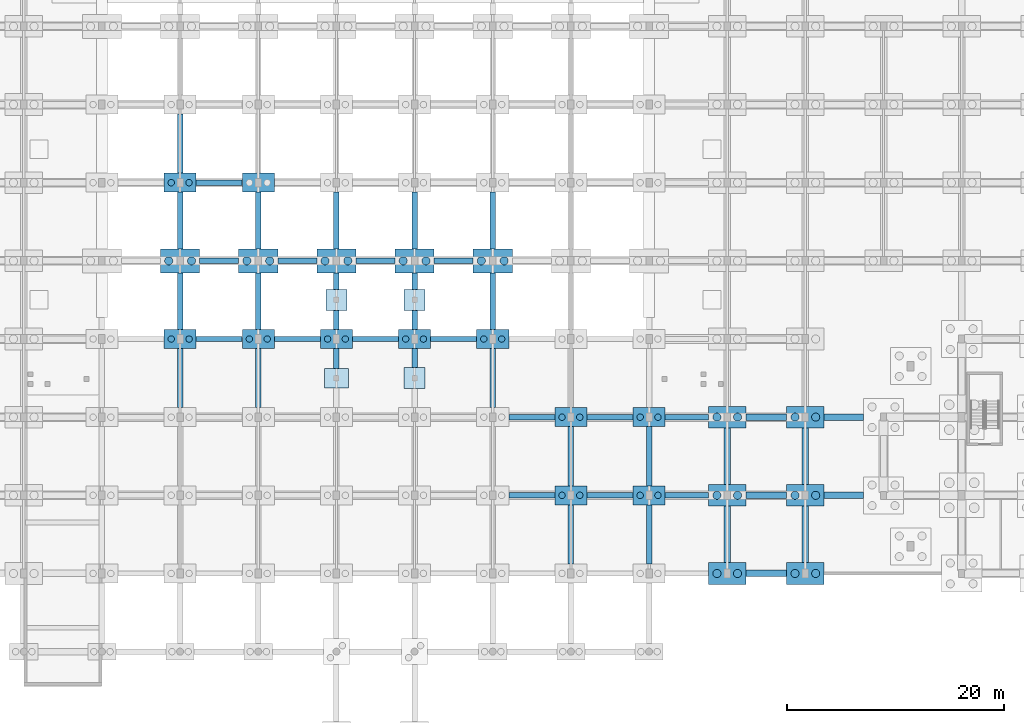
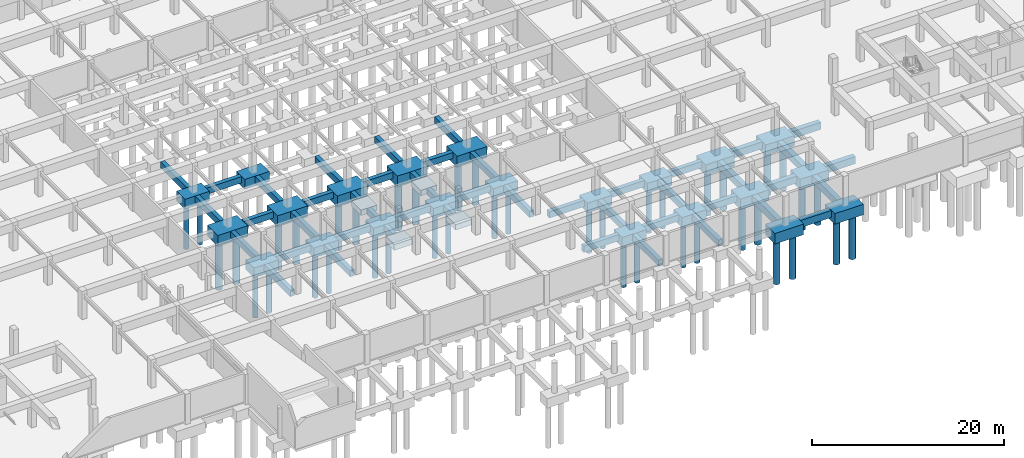
# One storey, part 5 of 36: 72 footings, 42 piles.
"""IFC4 building model written with IfcOpenShell, lengths in metres."""

from ifc_helpers import new_model, si_unit, direction, frame, origin, origin_2d, place, context, subcontext, project, spatial, rectangle, circle, extrude, material, material_profile, profile_set, type_object, element, save


model = new_model("IFC4")

# Units and contexts
model_context = context("Model", 3, precision=1e-05, world=origin(), true_north=direction((0.0, 1.0)))
body_context = subcontext(model_context, "Body", "Model", "MODEL_VIEW")
ifc_project = project(units=[si_unit("LENGTHUNIT", "METRE"), si_unit("AREAUNIT", "SQUARE_METRE"), si_unit("VOLUMEUNIT", "CUBIC_METRE"), si_unit("PLANEANGLEUNIT", "RADIAN"), si_unit("MASSUNIT", "GRAM", prefix="KILO")], contexts=[model_context])

# Site, building, storey
site_placement = place(None, origin())
site = spatial("IfcSite", under=ifc_project, at=site_placement, CompositionType="ELEMENT")
building_placement = place(site_placement, origin())
building = spatial("IfcBuilding", under=site, at=building_placement, Name="Ochrevale Crest", CompositionType="ELEMENT")
storey_placement = place(building_placement, frame((0.0, 0.0, -3.60009765625)))
storey = spatial("IfcBuildingStorey", under=building, at=storey_placement, Name="B1", CompositionType="ELEMENT", Elevation=-3.60009765625)

# Footings
ifc_material = material(Name="Concrete C40/50", Category="concrete")
footing_type_1 = type_object("IfcFootingType", Name="CAP-PC11", PredefinedType="PILE_CAP", material=ifc_material)
for number, where, z_axis, x_axis, name in (
    (1, (64.800048828125, 43.199951171875, -1.659912109375), (0.0, 0.0, 1.0), (1.0, 0.0, 0.0), "Pile cap PC11-119"),
    (2, (72.0, 43.199951171875, -1.659912109375), (0.0, 0.0, 1.0), (1.0, 0.0, 0.0), "Pile cap PC11-135"),
    (3, (79.199951171875, 43.199951171875, -1.659912109375), (0.0, 0.0, 1.0), (1.0, 0.0, 0.0), "Pile cap PC11-152"),
    (4, (86.39990234375, 43.199951171875, -1.659912109375), (0.0, 0.0, 1.0), (1.0, 0.0, 0.0), "Pile cap PC11-169"),
    (5, (93.60009765625, 43.199951171875, -1.659912109375), (0.0, 0.0, 1.0), (1.0, 0.0, 0.0), "Pile cap PC11-185"),
):
    element("IfcFooting", number, at=place(storey_placement, frame(where, z_axis=z_axis, x_axis=x_axis)), inside=storey, type_object=footing_type_1, Name=name, PredefinedType="PILE_CAP", context=body_context, shape_type="SweptSolid", body=[
        extrude(rectangle(XDim=3.60009765625, YDim=2.199951171875, at=origin_2d()), origin(), (0.0, 0.0, 1.0), 1.39990234375),
    ])
footing_type_2 = type_object("IfcFootingType", Name="CAP-PC12", PredefinedType="PILE_CAP", material=ifc_material)
for number, where, z_axis, x_axis, name in (
    (6, (115.199951171875, 14.39990234375, -1.60986328125), (0.0, 0.0, 1.0), (1.0, 0.0, 0.0), "Pile cap PC12-228"),
    (7, (115.199951171875, 21.60009765625, -1.60986328125), (0.0, 0.0, 1.0), (1.0, 0.0, 0.0), "Pile cap PC12-229"),
    (8, (115.199951171875, 28.800048828125, -1.60986328125), (0.0, 0.0, 1.0), (1.0, 0.0, 0.0), "Pile cap PC12-230"),
    (9, (122.39990234375, 14.39990234375, -1.60986328125), (0.0, 0.0, 1.0), (1.0, 0.0, 0.0), "Pile cap PC12-240"),
    (10, (122.39990234375, 21.60009765625, -1.60986328125), (0.0, 0.0, 1.0), (1.0, 0.0, 0.0), "Pile cap PC12-241"),
    (11, (122.39990234375, 28.800048828125, -1.60986328125), (0.0, 0.0, 1.0), (1.0, 0.0, 0.0), "Pile cap PC12-242"),
):
    element("IfcFooting", number, at=place(storey_placement, frame(where, z_axis=z_axis, x_axis=x_axis)), inside=storey, type_object=footing_type_2, Name=name, PredefinedType="PILE_CAP", context=body_context, shape_type="SweptSolid", body=[
        extrude(rectangle(XDim=3.449951171875, YDim=2.0, at=origin_2d()), origin(), (0.0, 0.0, 1.0), 1.35009765625),
    ])
footing_type_3 = type_object("IfcFootingType", Name="CAP-PC14", PredefinedType="PILE_CAP", material=ifc_material)
for number, where, z_axis, x_axis, name in (
    (12, (64.800048828125, 36.0, -1.510009765625), (0.0, 0.0, 1.0), (1.0, 0.0, 0.0), "Pile cap PC14-118"),
    (13, (64.800048828125, 50.39990234375, -1.510009765625), (0.0, 0.0, 1.0), (1.0, 0.0, 0.0), "Pile cap PC14-120"),
    (14, (72.0, 36.0, -1.510009765625), (0.0, 0.0, 1.0), (1.0, 0.0, 0.0), "Pile cap PC14-134"),
    (15, (72.0, 50.39990234375, -1.510009765625), (0.0, 0.0, 1.0), (1.0, 0.0, 0.0), "Pile cap PC14-136"),
    (16, (79.199951171875, 36.0, -1.510009765625), (0.0, 0.0, 1.0), (1.0, 0.0, 0.0), "Pile cap PC14-151"),
    (17, (86.39990234375, 36.0, -1.510009765625), (0.0, 0.0, 1.0), (1.0, 0.0, 0.0), "Pile cap PC14-168"),
    (18, (93.60009765625, 36.0, -1.510009765625), (0.0, 0.0, 1.0), (1.0, 0.0, 0.0), "Pile cap PC14-184"),
    (19, (100.800048828125, 21.60009765625, -1.510009765625), (0.0, 0.0, 1.0), (1.0, 0.0, 0.0), "Pile cap PC14-198"),
    (20, (100.800048828125, 28.800048828125, -1.510009765625), (0.0, 0.0, 1.0), (1.0, 0.0, 0.0), "Pile cap PC14-199"),
    (21, (108.0, 21.60009765625, -1.510009765625), (0.0, 0.0, 1.0), (1.0, 0.0, 0.0), "Pile cap PC14-214"),
    (22, (108.0, 28.800048828125, -1.510009765625), (0.0, 0.0, 1.0), (1.0, 0.0, 0.0), "Pile cap PC14-215"),
):
    element("IfcFooting", number, at=place(storey_placement, frame(where, z_axis=z_axis, x_axis=x_axis)), inside=storey, type_object=footing_type_3, Name=name, PredefinedType="PILE_CAP", context=body_context, shape_type="SweptSolid", body=[
        extrude(rectangle(XDim=2.949951171875, YDim=1.75, at=origin_2d()), origin(), (0.0, 0.0, 1.0), 1.25),
    ])
ifc_material_profile_1 = material_profile(ifc_material, rectangle(XDim=0.5, YDim=0.800048828125, at=origin_2d()), Name="GB 500x800")
ifc_profile_set_1 = profile_set([ifc_material_profile_1], Name="Concrete C40/50")
footing_type_4 = type_object("IfcFootingType", Name="FTG-GB500x800", PredefinedType="FOOTING_BEAM", material=ifc_profile_set_1)
footing_1_placement = place(storey_placement, frame((64.800048828125, 29.677001953125, -0.659912109375), z_axis=(0.0, 1.0, 0.0), x_axis=(-1.0, 0.0, 0.0)))
element("IfcFooting", 23, at=footing_1_placement, inside=storey, type_object=footing_type_4, Name="Foundation tie beam GB2-201", PredefinedType="FOOTING_BEAM", context=body_context, shape_type="SweptSolid", body=[
    extrude(rectangle(XDim=0.5, YDim=0.800048828125, at=origin_2d()), origin(), (0.0, 0.0, 1.0), 5.446044921875),
])
footing_2_placement = place(storey_placement, frame((66.277099609375, 36.0, -0.659912109375), z_axis=(1.0, 0.0, 0.0), x_axis=(0.0, 1.0, 0.0)))
element("IfcFooting", 24, at=footing_2_placement, inside=storey, type_object=footing_type_4, Name="Foundation tie beam GB2-202", PredefinedType="FOOTING_BEAM", context=body_context, shape_type="SweptSolid", body=[
    extrude(rectangle(XDim=0.5, YDim=0.800048828125, at=origin_2d()), origin(), (0.0, 0.0, 1.0), 4.245849609375),
])
footing_3_placement = place(storey_placement, frame((64.800048828125, 36.876953125, -0.659912109375), z_axis=(0.0, 1.0, 0.0), x_axis=(-1.0, 0.0, 0.0)))
element("IfcFooting", 25, at=footing_3_placement, inside=storey, type_object=footing_type_4, Name="Foundation tie beam GB2-203", PredefinedType="FOOTING_BEAM", context=body_context, shape_type="SweptSolid", body=[
    extrude(rectangle(XDim=0.5, YDim=0.800048828125, at=origin_2d()), origin(), (0.0, 0.0, 1.0), 5.220947265625),
])
footing_4_placement = place(storey_placement, frame((66.60205078125, 43.199951171875, -0.659912109375), z_axis=(1.0, 0.0, 0.0), x_axis=(0.0, 1.0, 0.0)))
element("IfcFooting", 26, at=footing_4_placement, inside=storey, type_object=footing_type_4, Name="Foundation tie beam GB2-204", PredefinedType="FOOTING_BEAM", context=body_context, shape_type="SweptSolid", body=[
    extrude(rectangle(XDim=0.5, YDim=0.800048828125, at=origin_2d()), origin(), (0.0, 0.0, 1.0), 3.595947265625),
])
footing_5_placement = place(storey_placement, frame((64.800048828125, 44.302001953125, -0.659912109375), z_axis=(0.0, 1.0, 0.0), x_axis=(-1.0, 0.0, 0.0)))
element("IfcFooting", 27, at=footing_5_placement, inside=storey, type_object=footing_type_4, Name="Foundation tie beam GB2-205", PredefinedType="FOOTING_BEAM", context=body_context, shape_type="SweptSolid", body=[
    extrude(rectangle(XDim=0.5, YDim=0.800048828125, at=origin_2d()), origin(), (0.0, 0.0, 1.0), 5.220947265625),
])
footing_6_placement = place(storey_placement, frame((66.277099609375, 50.39990234375, -0.659912109375), z_axis=(1.0, 0.0, 0.0), x_axis=(0.0, 1.0, 0.0)))
element("IfcFooting", 28, at=footing_6_placement, inside=storey, type_object=footing_type_4, Name="Foundation tie beam GB2-206", PredefinedType="FOOTING_BEAM", context=body_context, shape_type="SweptSolid", body=[
    extrude(rectangle(XDim=0.5, YDim=0.800048828125, at=origin_2d()), origin(), (0.0, 0.0, 1.0), 4.245849609375),
])
footing_7_placement = place(storey_placement, frame((64.800048828125, 51.277099609375, -0.659912109375), z_axis=(0.0, 1.0, 0.0), x_axis=(-1.0, 0.0, 0.0)))
element("IfcFooting", 29, at=footing_7_placement, inside=storey, type_object=footing_type_4, Name="Foundation tie beam GB2-207", PredefinedType="FOOTING_BEAM", context=body_context, shape_type="SweptSolid", body=[
    extrude(rectangle(XDim=0.5, YDim=0.800048828125, at=origin_2d()), origin(), (0.0, 0.0, 1.0), 5.44580078125),
])
footing_8_placement = place(storey_placement, frame((72.0, 29.677001953125, -0.659912109375), z_axis=(0.0, 1.0, 0.0), x_axis=(-1.0, 0.0, 0.0)))
element("IfcFooting", 30, at=footing_8_placement, inside=storey, type_object=footing_type_4, Name="Foundation tie beam GB2-232", PredefinedType="FOOTING_BEAM", context=body_context, shape_type="SweptSolid", body=[
    extrude(rectangle(XDim=0.5, YDim=0.800048828125, at=origin_2d()), origin(), (0.0, 0.0, 1.0), 5.446044921875),
])
footing_9_placement = place(storey_placement, frame((73.47705078125, 36.0, -0.659912109375), z_axis=(1.0, 0.0, 0.0), x_axis=(0.0, 1.0, 0.0)))
element("IfcFooting", 31, at=footing_9_placement, inside=storey, type_object=footing_type_4, Name="Foundation tie beam GB2-233", PredefinedType="FOOTING_BEAM", context=body_context, shape_type="SweptSolid", body=[
    extrude(rectangle(XDim=0.5, YDim=0.800048828125, at=origin_2d()), origin(), (0.0, 0.0, 1.0), 4.245849609375),
])
footing_10_placement = place(storey_placement, frame((72.0, 36.876953125, -0.659912109375), z_axis=(0.0, 1.0, 0.0), x_axis=(-1.0, 0.0, 0.0)))
element("IfcFooting", 32, at=footing_10_placement, inside=storey, type_object=footing_type_4, Name="Foundation tie beam GB2-234", PredefinedType="FOOTING_BEAM", context=body_context, shape_type="SweptSolid", body=[
    extrude(rectangle(XDim=0.5, YDim=0.800048828125, at=origin_2d()), origin(), (0.0, 0.0, 1.0), 5.220947265625),
])
footing_11_placement = place(storey_placement, frame((73.802001953125, 43.199951171875, -0.659912109375), z_axis=(1.0, 0.0, 0.0), x_axis=(0.0, 1.0, 0.0)))
element("IfcFooting", 33, at=footing_11_placement, inside=storey, type_object=footing_type_4, Name="Foundation tie beam GB2-235", PredefinedType="FOOTING_BEAM", context=body_context, shape_type="SweptSolid", body=[
    extrude(rectangle(XDim=0.5, YDim=0.800048828125, at=origin_2d()), origin(), (0.0, 0.0, 1.0), 3.595947265625),
])
footing_12_placement = place(storey_placement, frame((72.0, 44.302001953125, -0.659912109375), z_axis=(0.0, 1.0, 0.0), x_axis=(-1.0, 0.0, 0.0)))
element("IfcFooting", 34, at=footing_12_placement, inside=storey, type_object=footing_type_4, Name="Foundation tie beam GB2-236", PredefinedType="FOOTING_BEAM", context=body_context, shape_type="SweptSolid", body=[
    extrude(rectangle(XDim=0.5, YDim=0.800048828125, at=origin_2d()), origin(), (0.0, 0.0, 1.0), 5.220947265625),
])
footing_13_placement = place(storey_placement, frame((79.199951171875, 33.302001953125, -0.659912109375), z_axis=(0.0, 1.0, 0.0), x_axis=(-1.0, 0.0, 0.0)))
element("IfcFooting", 35, at=footing_13_placement, inside=storey, type_object=footing_type_4, Name="Foundation tie beam GB2-265 segment 2", PredefinedType="FOOTING_BEAM", context=body_context, shape_type="SweptSolid", body=[
    extrude(rectangle(XDim=0.5, YDim=0.800048828125, at=origin_2d()), origin(), (0.0, 0.0, 1.0), 1.821044921875),
])
footing_14_placement = place(storey_placement, frame((80.677001953125, 36.0, -0.659912109375), z_axis=(1.0, 0.0, 0.0), x_axis=(0.0, 1.0, 0.0)))
element("IfcFooting", 36, at=footing_14_placement, inside=storey, type_object=footing_type_4, Name="Foundation tie beam GB2-266", PredefinedType="FOOTING_BEAM", context=body_context, shape_type="SweptSolid", body=[
    extrude(rectangle(XDim=0.5, YDim=0.800048828125, at=origin_2d()), origin(), (0.0, 0.0, 1.0), 4.24609375),
])
footing_15_placement = place(storey_placement, frame((79.199951171875, 36.876953125, -0.659912109375), z_axis=(0.0, 1.0, 0.0), x_axis=(-1.0, 0.0, 0.0)))
element("IfcFooting", 37, at=footing_15_placement, inside=storey, type_object=footing_type_4, Name="Foundation tie beam GB2-267 segment 1", PredefinedType="FOOTING_BEAM", context=body_context, shape_type="SweptSolid", body=[
    extrude(rectangle(XDim=0.5, YDim=0.800048828125, at=origin_2d()), origin(), (0.0, 0.0, 1.0), 1.74609375),
])
footing_16_placement = place(storey_placement, frame((79.199951171875, 40.576904296875, -0.659912109375), z_axis=(0.0, 1.0, 0.0), x_axis=(-1.0, 0.0, 0.0)))
element("IfcFooting", 38, at=footing_16_placement, inside=storey, type_object=footing_type_4, Name="Foundation tie beam GB2-267 segment 2", PredefinedType="FOOTING_BEAM", context=body_context, shape_type="SweptSolid", body=[
    extrude(rectangle(XDim=0.5, YDim=0.800048828125, at=origin_2d()), origin(), (0.0, 0.0, 1.0), 1.52099609375),
])
footing_17_placement = place(storey_placement, frame((81.001953125, 43.199951171875, -0.659912109375), z_axis=(1.0, 0.0, 0.0), x_axis=(0.0, 1.0, 0.0)))
element("IfcFooting", 39, at=footing_17_placement, inside=storey, type_object=footing_type_4, Name="Foundation tie beam GB2-268", PredefinedType="FOOTING_BEAM", context=body_context, shape_type="SweptSolid", body=[
    extrude(rectangle(XDim=0.5, YDim=0.800048828125, at=origin_2d()), origin(), (0.0, 0.0, 1.0), 3.595947265625),
])
footing_18_placement = place(storey_placement, frame((79.199951171875, 44.302001953125, -0.659912109375), z_axis=(0.0, 1.0, 0.0), x_axis=(-1.0, 0.0, 0.0)))
element("IfcFooting", 40, at=footing_18_placement, inside=storey, type_object=footing_type_4, Name="Foundation tie beam GB2-269", PredefinedType="FOOTING_BEAM", context=body_context, shape_type="SweptSolid", body=[
    extrude(rectangle(XDim=0.5, YDim=0.800048828125, at=origin_2d()), origin(), (0.0, 0.0, 1.0), 5.220947265625),
])
footing_19_placement = place(storey_placement, frame((86.39990234375, 33.376953125, -0.659912109375), z_axis=(0.0, 1.0, 0.0), x_axis=(-1.0, 0.0, 0.0)))
element("IfcFooting", 41, at=footing_19_placement, inside=storey, type_object=footing_type_4, Name="Foundation tie beam GB2-297 segment 2", PredefinedType="FOOTING_BEAM", context=body_context, shape_type="SweptSolid", body=[
    extrude(rectangle(XDim=0.5, YDim=0.800048828125, at=origin_2d()), origin(), (0.0, 0.0, 1.0), 1.74609375),
])
footing_20_placement = place(storey_placement, frame((87.876953125, 36.0, -0.659912109375), z_axis=(1.0, 0.0, 0.0), x_axis=(0.0, 1.0, 0.0)))
element("IfcFooting", 42, at=footing_20_placement, inside=storey, type_object=footing_type_4, Name="Foundation tie beam GB2-298", PredefinedType="FOOTING_BEAM", context=body_context, shape_type="SweptSolid", body=[
    extrude(rectangle(XDim=0.5, YDim=0.800048828125, at=origin_2d()), origin(), (0.0, 0.0, 1.0), 4.24609375),
])
footing_21_placement = place(storey_placement, frame((86.39990234375, 36.876953125, -0.659912109375), z_axis=(0.0, 1.0, 0.0), x_axis=(-1.0, 0.0, 0.0)))
element("IfcFooting", 43, at=footing_21_placement, inside=storey, type_object=footing_type_4, Name="Foundation tie beam GB2-299 segment 1", PredefinedType="FOOTING_BEAM", context=body_context, shape_type="SweptSolid", body=[
    extrude(rectangle(XDim=0.5, YDim=0.800048828125, at=origin_2d()), origin(), (0.0, 0.0, 1.0), 1.74609375),
])
footing_22_placement = place(storey_placement, frame((86.39990234375, 40.576904296875, -0.659912109375), z_axis=(0.0, 1.0, 0.0), x_axis=(-1.0, 0.0, 0.0)))
element("IfcFooting", 44, at=footing_22_placement, inside=storey, type_object=footing_type_4, Name="Foundation tie beam GB2-299 segment 2", PredefinedType="FOOTING_BEAM", context=body_context, shape_type="SweptSolid", body=[
    extrude(rectangle(XDim=0.5, YDim=0.800048828125, at=origin_2d()), origin(), (0.0, 0.0, 1.0), 1.52099609375),
])
footing_23_placement = place(storey_placement, frame((88.201904296875, 43.199951171875, -0.659912109375), z_axis=(1.0, 0.0, 0.0), x_axis=(0.0, 1.0, 0.0)))
element("IfcFooting", 45, at=footing_23_placement, inside=storey, type_object=footing_type_4, Name="Foundation tie beam GB2-300", PredefinedType="FOOTING_BEAM", context=body_context, shape_type="SweptSolid", body=[
    extrude(rectangle(XDim=0.5, YDim=0.800048828125, at=origin_2d()), origin(), (0.0, 0.0, 1.0), 3.59619140625),
])
footing_24_placement = place(storey_placement, frame((86.39990234375, 44.302001953125, -0.659912109375), z_axis=(0.0, 1.0, 0.0), x_axis=(-1.0, 0.0, 0.0)))
element("IfcFooting", 46, at=footing_24_placement, inside=storey, type_object=footing_type_4, Name="Foundation tie beam GB2-301", PredefinedType="FOOTING_BEAM", context=body_context, shape_type="SweptSolid", body=[
    extrude(rectangle(XDim=0.5, YDim=0.800048828125, at=origin_2d()), origin(), (0.0, 0.0, 1.0), 5.220947265625),
])
for number, where, z_axis, x_axis, name in (
    (47, (95.076904296875, 21.60009765625, -0.659912109375), (1.0, 0.0, 0.0), (0.0, 1.0, 0.0), "Foundation tie beam GB2-325"),
    (48, (95.076904296875, 28.800048828125, -0.659912109375), (1.0, 0.0, 0.0), (0.0, 1.0, 0.0), "Foundation tie beam GB2-327"),
):
    element("IfcFooting", number, at=place(storey_placement, frame(where, z_axis=z_axis, x_axis=x_axis)), inside=storey, type_object=footing_type_4, Name=name, PredefinedType="FOOTING_BEAM", context=body_context, shape_type="SweptSolid", body=[
        extrude(rectangle(XDim=0.5, YDim=0.800048828125, at=origin_2d()), origin(), (0.0, 0.0, 1.0), 4.24609375),
    ])
footing_25_placement = place(storey_placement, frame((93.60009765625, 29.677001953125, -0.659912109375), z_axis=(0.0, 1.0, 0.0), x_axis=(-1.0, 0.0, 0.0)))
element("IfcFooting", 49, at=footing_25_placement, inside=storey, type_object=footing_type_4, Name="Foundation tie beam GB2-328", PredefinedType="FOOTING_BEAM", context=body_context, shape_type="SweptSolid", body=[
    extrude(rectangle(XDim=0.5, YDim=0.800048828125, at=origin_2d()), origin(), (0.0, 0.0, 1.0), 5.446044921875),
])
for number, where, z_axis, x_axis, name in (
    (50, (93.60009765625, 36.876953125, -0.659912109375), (0.0, 1.0, 0.0), (-1.0, 0.0, 0.0), "Foundation tie beam GB2-330"),
    (51, (93.60009765625, 44.302001953125, -0.659912109375), (0.0, 1.0, 0.0), (-1.0, 0.0, 0.0), "Foundation tie beam GB2-332"),
):
    element("IfcFooting", number, at=place(storey_placement, frame(where, z_axis=z_axis, x_axis=x_axis)), inside=storey, type_object=footing_type_4, Name=name, PredefinedType="FOOTING_BEAM", context=body_context, shape_type="SweptSolid", body=[
        extrude(rectangle(XDim=0.5, YDim=0.800048828125, at=origin_2d()), origin(), (0.0, 0.0, 1.0), 5.220947265625),
    ])
footing_26_placement = place(storey_placement, frame((100.800048828125, 15.277099609375, -0.659912109375), z_axis=(0.0, 1.0, 0.0), x_axis=(-1.0, 0.0, 0.0)))
element("IfcFooting", 52, at=footing_26_placement, inside=storey, type_object=footing_type_4, Name="Foundation tie beam GB2-355", PredefinedType="FOOTING_BEAM", context=body_context, shape_type="SweptSolid", body=[
    extrude(rectangle(XDim=0.5, YDim=0.800048828125, at=origin_2d()), origin(), (0.0, 0.0, 1.0), 5.44580078125),
])
footing_27_placement = place(storey_placement, frame((102.277099609375, 21.60009765625, -0.659912109375), z_axis=(1.0, 0.0, 0.0), x_axis=(0.0, 1.0, 0.0)))
element("IfcFooting", 53, at=footing_27_placement, inside=storey, type_object=footing_type_4, Name="Foundation tie beam GB2-356", PredefinedType="FOOTING_BEAM", context=body_context, shape_type="SweptSolid", body=[
    extrude(rectangle(XDim=0.5, YDim=0.800048828125, at=origin_2d()), origin(), (0.0, 0.0, 1.0), 4.245849609375),
])
footing_28_placement = place(storey_placement, frame((100.800048828125, 22.47705078125, -0.659912109375), z_axis=(0.0, 1.0, 0.0), x_axis=(-1.0, 0.0, 0.0)))
element("IfcFooting", 54, at=footing_28_placement, inside=storey, type_object=footing_type_4, Name="Foundation tie beam GB2-357", PredefinedType="FOOTING_BEAM", context=body_context, shape_type="SweptSolid", body=[
    extrude(rectangle(XDim=0.5, YDim=0.800048828125, at=origin_2d()), origin(), (0.0, 0.0, 1.0), 5.446044921875),
])
footing_29_placement = place(storey_placement, frame((102.277099609375, 28.800048828125, -0.659912109375), z_axis=(1.0, 0.0, 0.0), x_axis=(0.0, 1.0, 0.0)))
element("IfcFooting", 55, at=footing_29_placement, inside=storey, type_object=footing_type_4, Name="Foundation tie beam GB2-358", PredefinedType="FOOTING_BEAM", context=body_context, shape_type="SweptSolid", body=[
    extrude(rectangle(XDim=0.5, YDim=0.800048828125, at=origin_2d()), origin(), (0.0, 0.0, 1.0), 4.245849609375),
])
footing_30_placement = place(storey_placement, frame((108.0, 15.277099609375, -0.659912109375), z_axis=(0.0, 1.0, 0.0), x_axis=(-1.0, 0.0, 0.0)))
element("IfcFooting", 56, at=footing_30_placement, inside=storey, type_object=footing_type_4, Name="Foundation tie beam GB2-385", PredefinedType="FOOTING_BEAM", context=body_context, shape_type="SweptSolid", body=[
    extrude(rectangle(XDim=0.5, YDim=0.800048828125, at=origin_2d()), origin(), (0.0, 0.0, 1.0), 5.44580078125),
])
footing_31_placement = place(storey_placement, frame((109.47705078125, 21.60009765625, -0.659912109375), z_axis=(1.0, 0.0, 0.0), x_axis=(0.0, 1.0, 0.0)))
element("IfcFooting", 57, at=footing_31_placement, inside=storey, type_object=footing_type_4, Name="Foundation tie beam GB2-386", PredefinedType="FOOTING_BEAM", context=body_context, shape_type="SweptSolid", body=[
    extrude(rectangle(XDim=0.5, YDim=0.800048828125, at=origin_2d()), origin(), (0.0, 0.0, 1.0), 3.995849609375),
])
footing_32_placement = place(storey_placement, frame((108.0, 22.47705078125, -0.659912109375), z_axis=(0.0, 1.0, 0.0), x_axis=(-1.0, 0.0, 0.0)))
element("IfcFooting", 58, at=footing_32_placement, inside=storey, type_object=footing_type_4, Name="Foundation tie beam GB2-387", PredefinedType="FOOTING_BEAM", context=body_context, shape_type="SweptSolid", body=[
    extrude(rectangle(XDim=0.5, YDim=0.800048828125, at=origin_2d()), origin(), (0.0, 0.0, 1.0), 5.446044921875),
])
footing_33_placement = place(storey_placement, frame((109.47705078125, 28.800048828125, -0.659912109375), z_axis=(1.0, 0.0, 0.0), x_axis=(0.0, 1.0, 0.0)))
element("IfcFooting", 59, at=footing_33_placement, inside=storey, type_object=footing_type_4, Name="Foundation tie beam GB2-388", PredefinedType="FOOTING_BEAM", context=body_context, shape_type="SweptSolid", body=[
    extrude(rectangle(XDim=0.5, YDim=0.800048828125, at=origin_2d()), origin(), (0.0, 0.0, 1.0), 3.995849609375),
])
ifc_material_profile_2 = material_profile(ifc_material, rectangle(XDim=0.60009765625, YDim=0.89990234375, at=origin_2d()), Name="GB 600x900")
ifc_profile_set_2 = profile_set([ifc_material_profile_2], Name="Concrete C40/50")
footing_type_5 = type_object("IfcFootingType", Name="FTG-GB600x900", PredefinedType="FOOTING_BEAM", material=ifc_profile_set_2)
footing_34_placement = place(storey_placement, frame((116.927001953125, 14.39990234375, -0.7099609375), z_axis=(1.0, 0.0, 0.0), x_axis=(0.0, 1.0, 0.0)))
element("IfcFooting", 60, at=footing_34_placement, inside=storey, type_object=footing_type_5, Name="Foundation tie beam GB1-410", PredefinedType="FOOTING_BEAM", context=body_context, shape_type="SweptSolid", body=[
    extrude(rectangle(XDim=0.60009765625, YDim=0.89990234375, at=origin_2d()), origin(), (0.0, 0.0, 1.0), 3.74609375),
])
footing_35_placement = place(storey_placement, frame((115.199951171875, 15.402099609375, -0.7099609375), z_axis=(0.0, 1.0, 0.0), x_axis=(-1.0, 0.0, 0.0)))
element("IfcFooting", 61, at=footing_35_placement, inside=storey, type_object=footing_type_5, Name="Foundation tie beam GB1-411", PredefinedType="FOOTING_BEAM", context=body_context, shape_type="SweptSolid", body=[
    extrude(rectangle(XDim=0.60009765625, YDim=0.89990234375, at=origin_2d()), origin(), (0.0, 0.0, 1.0), 5.19580078125),
])
footing_36_placement = place(storey_placement, frame((116.927001953125, 21.60009765625, -0.7099609375), z_axis=(1.0, 0.0, 0.0), x_axis=(0.0, 1.0, 0.0)))
element("IfcFooting", 62, at=footing_36_placement, inside=storey, type_object=footing_type_5, Name="Foundation tie beam GB1-412", PredefinedType="FOOTING_BEAM", context=body_context, shape_type="SweptSolid", body=[
    extrude(rectangle(XDim=0.60009765625, YDim=0.89990234375, at=origin_2d()), origin(), (0.0, 0.0, 1.0), 3.74609375),
])
footing_37_placement = place(storey_placement, frame((115.199951171875, 22.60205078125, -0.7099609375), z_axis=(0.0, 1.0, 0.0), x_axis=(-1.0, 0.0, 0.0)))
element("IfcFooting", 63, at=footing_37_placement, inside=storey, type_object=footing_type_5, Name="Foundation tie beam GB1-413", PredefinedType="FOOTING_BEAM", context=body_context, shape_type="SweptSolid", body=[
    extrude(rectangle(XDim=0.60009765625, YDim=0.89990234375, at=origin_2d()), origin(), (0.0, 0.0, 1.0), 5.196044921875),
])
footing_38_placement = place(storey_placement, frame((116.927001953125, 28.800048828125, -0.7099609375), z_axis=(1.0, 0.0, 0.0), x_axis=(0.0, 1.0, 0.0)))
element("IfcFooting", 64, at=footing_38_placement, inside=storey, type_object=footing_type_5, Name="Foundation tie beam GB1-414", PredefinedType="FOOTING_BEAM", context=body_context, shape_type="SweptSolid", body=[
    extrude(rectangle(XDim=0.60009765625, YDim=0.89990234375, at=origin_2d()), origin(), (0.0, 0.0, 1.0), 3.74609375),
])
footing_39_placement = place(storey_placement, frame((122.39990234375, 15.402099609375, -0.7099609375), z_axis=(0.0, 1.0, 0.0), x_axis=(-1.0, 0.0, 0.0)))
element("IfcFooting", 65, at=footing_39_placement, inside=storey, type_object=footing_type_5, Name="Foundation tie beam GB1-433", PredefinedType="FOOTING_BEAM", context=body_context, shape_type="SweptSolid", body=[
    extrude(rectangle(XDim=0.60009765625, YDim=0.89990234375, at=origin_2d()), origin(), (0.0, 0.0, 1.0), 5.19580078125),
])
footing_40_placement = place(storey_placement, frame((124.126953125, 21.60009765625, -0.7099609375), z_axis=(1.0, 0.0, 0.0), x_axis=(0.0, 1.0, 0.0)))
element("IfcFooting", 66, at=footing_40_placement, inside=storey, type_object=footing_type_5, Name="Foundation tie beam GB1-434", PredefinedType="FOOTING_BEAM", context=body_context, shape_type="SweptSolid", body=[
    extrude(rectangle(XDim=0.60009765625, YDim=0.89990234375, at=origin_2d()), origin(), (0.0, 0.0, 1.0), 3.62109375),
])
footing_41_placement = place(storey_placement, frame((122.39990234375, 22.60205078125, -0.7099609375), z_axis=(0.0, 1.0, 0.0), x_axis=(-1.0, 0.0, 0.0)))
element("IfcFooting", 67, at=footing_41_placement, inside=storey, type_object=footing_type_5, Name="Foundation tie beam GB1-435", PredefinedType="FOOTING_BEAM", context=body_context, shape_type="SweptSolid", body=[
    extrude(rectangle(XDim=0.60009765625, YDim=0.89990234375, at=origin_2d()), origin(), (0.0, 0.0, 1.0), 5.196044921875),
])
footing_42_placement = place(storey_placement, frame((124.126953125, 28.800048828125, -0.7099609375), z_axis=(1.0, 0.0, 0.0), x_axis=(0.0, 1.0, 0.0)))
element("IfcFooting", 68, at=footing_42_placement, inside=storey, type_object=footing_type_5, Name="Foundation tie beam GB1-436", PredefinedType="FOOTING_BEAM", context=body_context, shape_type="SweptSolid", body=[
    extrude(rectangle(XDim=0.60009765625, YDim=0.89990234375, at=origin_2d()), origin(), (0.0, 0.0, 1.0), 3.62109375),
])
footing_type_6 = type_object("IfcFootingType", Name="FTG-PAD01", PredefinedType="PAD_FOOTING", material=ifc_material)
footing_43_placement = place(storey_placement, frame((79.199951171875, 32.39990234375, -1.010009765625), z_axis=(0.0, 0.0, 1.0), x_axis=(1.0, 0.0, 0.0)))
element("IfcFooting", 69, at=footing_43_placement, inside=storey, type_object=footing_type_6, Name="Pad footing PF01 (79.2,32.4)", PredefinedType="PAD_FOOTING", context=body_context, shape_type="SweptSolid", body=[
    extrude(rectangle(XDim=2.199951171875, YDim=1.800048828125, at=origin_2d()), origin(), (0.0, 0.0, 1.0), 0.75),
])
footing_type_7 = type_object("IfcFootingType", Name="FTG-PAD02", PredefinedType="PAD_FOOTING", material=ifc_material)
for number, where, z_axis, x_axis, name in (
    (70, (86.39990234375, 32.39990234375, -0.9599609375), (0.0, 0.0, 1.0), (1.0, 0.0, 0.0), "Pad footing PF02 (86.4,32.4)"),
    (71, (79.199951171875, 39.60009765625, -0.9599609375), (0.0, 0.0, 1.0), (1.0, 0.0, 0.0), "Pad footing PF02 (79.2,39.6)"),
    (72, (86.39990234375, 39.60009765625, -0.9599609375), (0.0, 0.0, 1.0), (1.0, 0.0, 0.0), "Pad footing PF02 (86.4,39.6)"),
):
    element("IfcFooting", number, at=place(storey_placement, frame(where, z_axis=z_axis, x_axis=x_axis)), inside=storey, type_object=footing_type_7, Name=name, PredefinedType="PAD_FOOTING", context=body_context, shape_type="SweptSolid", body=[
        extrude(rectangle(XDim=1.949951171875, YDim=1.949951171875, at=origin_2d()), origin(), (0.0, 0.0, 1.0), 0.699951171875),
    ])

# Piles
ifc_material_profile_3 = material_profile(ifc_material, circle(Radius=0.300048828125, at=origin_2d()), Name="BORED PILE 600")
ifc_profile_set_3 = profile_set([ifc_material_profile_3], Name="Concrete C40/50")
pile_type_1 = type_object("IfcPileType", Name="PILE-BP600", PredefinedType="BORED", material=ifc_profile_set_3)
for number, where, z_axis, x_axis, name in (
    (73, (63.97998046875, 36.0, -1.409912109375), (0.0, 0.0, -1.0), (1.0, 0.0, 0.0), "Bored pile P1-118-1"),
    (74, (65.6201171875, 36.0, -1.409912109375), (0.0, 0.0, -1.0), (1.0, 0.0, 0.0), "Bored pile P1-118-2"),
    (75, (63.97998046875, 50.39990234375, -1.409912109375), (0.0, 0.0, -1.0), (1.0, 0.0, 0.0), "Bored pile P1-120-1"),
    (76, (65.6201171875, 50.39990234375, -1.409912109375), (0.0, 0.0, -1.0), (1.0, 0.0, 0.0), "Bored pile P1-120-2"),
    (77, (71.179931640625, 36.0, -1.409912109375), (0.0, 0.0, -1.0), (1.0, 0.0, 0.0), "Bored pile P1-134-1"),
    (78, (72.820068359375, 36.0, -1.409912109375), (0.0, 0.0, -1.0), (1.0, 0.0, 0.0), "Bored pile P1-134-2"),
    (79, (78.3798828125, 36.0, -1.409912109375), (0.0, 0.0, -1.0), (1.0, 0.0, 0.0), "Bored pile P1-151-1"),
    (80, (80.02001953125, 36.0, -1.409912109375), (0.0, 0.0, -1.0), (1.0, 0.0, 0.0), "Bored pile P1-151-2"),
    (81, (85.580078125, 36.0, -1.409912109375), (0.0, 0.0, -1.0), (1.0, 0.0, 0.0), "Bored pile P1-168-1"),
    (82, (87.219970703125, 36.0, -1.409912109375), (0.0, 0.0, -1.0), (1.0, 0.0, 0.0), "Bored pile P1-168-2"),
    (83, (92.780029296875, 36.0, -1.409912109375), (0.0, 0.0, -1.0), (1.0, 0.0, 0.0), "Bored pile P1-184-1"),
    (84, (94.419921875, 36.0, -1.409912109375), (0.0, 0.0, -1.0), (1.0, 0.0, 0.0), "Bored pile P1-184-2"),
    (85, (99.97998046875, 21.60009765625, -1.409912109375), (0.0, 0.0, -1.0), (1.0, 0.0, 0.0), "Bored pile P1-198-1"),
    (86, (101.6201171875, 21.60009765625, -1.409912109375), (0.0, 0.0, -1.0), (1.0, 0.0, 0.0), "Bored pile P1-198-2"),
    (87, (99.97998046875, 28.800048828125, -1.409912109375), (0.0, 0.0, -1.0), (1.0, 0.0, 0.0), "Bored pile P1-199-1"),
    (88, (101.6201171875, 28.800048828125, -1.409912109375), (0.0, 0.0, -1.0), (1.0, 0.0, 0.0), "Bored pile P1-199-2"),
    (89, (107.179931640625, 21.60009765625, -1.409912109375), (0.0, 0.0, -1.0), (1.0, 0.0, 0.0), "Bored pile P1-214-1"),
    (90, (108.820068359375, 21.60009765625, -1.409912109375), (0.0, 0.0, -1.0), (1.0, 0.0, 0.0), "Bored pile P1-214-2"),
    (91, (107.179931640625, 28.800048828125, -1.409912109375), (0.0, 0.0, -1.0), (1.0, 0.0, 0.0), "Bored pile P1-215-1"),
    (92, (108.820068359375, 28.800048828125, -1.409912109375), (0.0, 0.0, -1.0), (1.0, 0.0, 0.0), "Bored pile P1-215-2"),
):
    element("IfcPile", number, at=place(storey_placement, frame(where, z_axis=z_axis, x_axis=x_axis)), inside=storey, type_object=pile_type_1, Name=name, PredefinedType="BORED", context=body_context, shape_type="SweptSolid", body=[
        extrude(circle(Radius=0.300048828125, at=origin_2d()), origin(), (0.0, 0.0, 1.0), 5.7900390625),
    ])
ifc_material_profile_4 = material_profile(ifc_material, circle(Radius=0.375, at=origin_2d()), Name="BORED PILE 750")
ifc_profile_set_4 = profile_set([ifc_material_profile_4], Name="Concrete C40/50")
pile_type_2 = type_object("IfcPileType", Name="PILE-BP750", PredefinedType="BORED", material=ifc_profile_set_4)
for number, where, z_axis, x_axis, name in (
    (93, (63.75, 43.199951171875, -1.559814453125), (0.0, 0.0, -1.0), (1.0, 0.0, 0.0), "Bored pile P2-119-1"),
    (94, (65.85009765625, 43.199951171875, -1.559814453125), (0.0, 0.0, -1.0), (1.0, 0.0, 0.0), "Bored pile P2-119-2"),
    (95, (70.949951171875, 43.199951171875, -1.559814453125), (0.0, 0.0, -1.0), (1.0, 0.0, 0.0), "Bored pile P2-135-1"),
    (96, (73.050048828125, 43.199951171875, -1.559814453125), (0.0, 0.0, -1.0), (1.0, 0.0, 0.0), "Bored pile P2-135-2"),
    (97, (78.14990234375, 43.199951171875, -1.559814453125), (0.0, 0.0, -1.0), (1.0, 0.0, 0.0), "Bored pile P2-152-1"),
    (98, (80.25, 43.199951171875, -1.559814453125), (0.0, 0.0, -1.0), (1.0, 0.0, 0.0), "Bored pile P2-152-2"),
    (99, (85.35009765625, 43.199951171875, -1.559814453125), (0.0, 0.0, -1.0), (1.0, 0.0, 0.0), "Bored pile P2-169-1"),
    (100, (87.449951171875, 43.199951171875, -1.559814453125), (0.0, 0.0, -1.0), (1.0, 0.0, 0.0), "Bored pile P2-169-2"),
    (101, (92.550048828125, 43.199951171875, -1.559814453125), (0.0, 0.0, -1.0), (1.0, 0.0, 0.0), "Bored pile P2-185-1"),
    (102, (94.64990234375, 43.199951171875, -1.559814453125), (0.0, 0.0, -1.0), (1.0, 0.0, 0.0), "Bored pile P2-185-2"),
):
    element("IfcPile", number, at=place(storey_placement, frame(where, z_axis=z_axis, x_axis=x_axis)), inside=storey, type_object=pile_type_2, Name=name, PredefinedType="BORED", context=body_context, shape_type="SweptSolid", body=[
        extrude(circle(Radius=0.375, at=origin_2d()), origin(), (0.0, 0.0, 1.0), 6.340087890625),
    ])
for number, where, z_axis, x_axis, name in (
    (103, (114.25, 14.39990234375, -1.510009765625), (0.0, 0.0, -1.0), (1.0, 0.0, 0.0), "Bored pile P2-228-1"),
    (104, (116.14990234375, 14.39990234375, -1.510009765625), (0.0, 0.0, -1.0), (1.0, 0.0, 0.0), "Bored pile P2-228-2"),
    (105, (114.25, 21.60009765625, -1.510009765625), (0.0, 0.0, -1.0), (1.0, 0.0, 0.0), "Bored pile P2-229-1"),
    (106, (116.14990234375, 21.60009765625, -1.510009765625), (0.0, 0.0, -1.0), (1.0, 0.0, 0.0), "Bored pile P2-229-2"),
    (107, (114.25, 28.800048828125, -1.510009765625), (0.0, 0.0, -1.0), (1.0, 0.0, 0.0), "Bored pile P2-230-1"),
    (108, (116.14990234375, 28.800048828125, -1.510009765625), (0.0, 0.0, -1.0), (1.0, 0.0, 0.0), "Bored pile P2-230-2"),
    (109, (121.449951171875, 14.39990234375, -1.510009765625), (0.0, 0.0, -1.0), (1.0, 0.0, 0.0), "Bored pile P2-240-1"),
    (110, (123.35009765625, 14.39990234375, -1.510009765625), (0.0, 0.0, -1.0), (1.0, 0.0, 0.0), "Bored pile P2-240-2"),
    (111, (121.449951171875, 21.60009765625, -1.510009765625), (0.0, 0.0, -1.0), (1.0, 0.0, 0.0), "Bored pile P2-241-1"),
    (112, (123.35009765625, 21.60009765625, -1.510009765625), (0.0, 0.0, -1.0), (1.0, 0.0, 0.0), "Bored pile P2-241-2"),
    (113, (121.449951171875, 28.800048828125, -1.510009765625), (0.0, 0.0, -1.0), (1.0, 0.0, 0.0), "Bored pile P2-242-1"),
    (114, (123.35009765625, 28.800048828125, -1.510009765625), (0.0, 0.0, -1.0), (1.0, 0.0, 0.0), "Bored pile P2-242-2"),
):
    element("IfcPile", number, at=place(storey_placement, frame(where, z_axis=z_axis, x_axis=x_axis)), inside=storey, type_object=pile_type_2, Name=name, PredefinedType="BORED", context=body_context, shape_type="SweptSolid", body=[
        extrude(circle(Radius=0.375, at=origin_2d()), origin(), (0.0, 0.0, 1.0), 5.889892578125),
    ])

save(model, "model.ifc")
